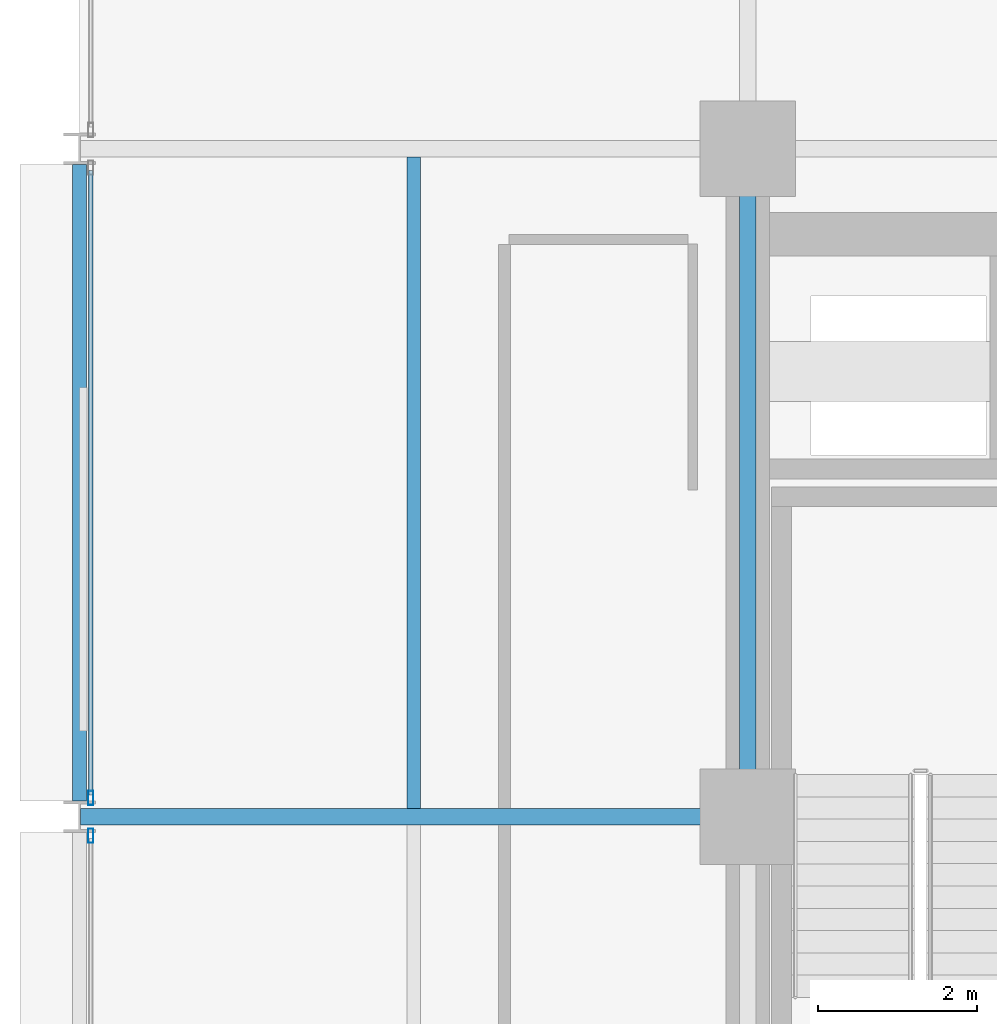
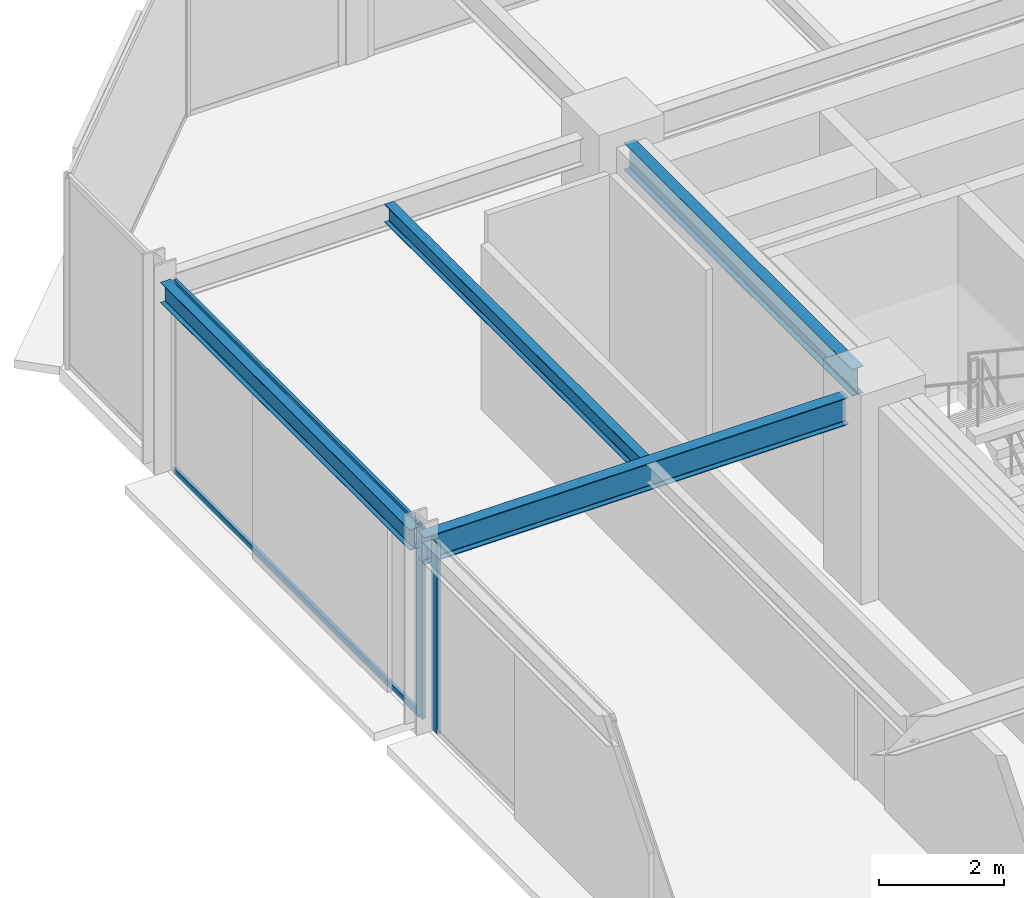
# One storey, part 23 of 40: 4 beams, 4 members, 2 elements without a shape of their own.
"""IFC4 building model written with IfcOpenShell, lengths in metres."""

from ifc_helpers import new_model, si_unit, direction, frame, origin, origin_2d, place, context, subcontext, project, spatial, hollow_rectangle, i_section, extrude, material, layer, layer_set, material_profile, profile_set, type_object, element, aggregate, save


model = new_model("IFC4")

# Units and contexts
model_context = context("Model", 3, precision=1e-05, world=origin(), true_north=direction((0.0, 1.0)))
body_context = subcontext(model_context, "Body", "Model", "MODEL_VIEW")
ifc_project = project(units=[si_unit("LENGTHUNIT", "METRE"), si_unit("AREAUNIT", "SQUARE_METRE"), si_unit("VOLUMEUNIT", "CUBIC_METRE"), si_unit("PLANEANGLEUNIT", "RADIAN"), si_unit("MASSUNIT", "GRAM", prefix="KILO")], contexts=[model_context])

# Site, building, storey
site_placement = place(None, origin())
site = spatial("IfcSite", under=ifc_project, at=site_placement, CompositionType="ELEMENT")
building_placement = place(site_placement, origin())
building = spatial("IfcBuilding", under=site, at=building_placement, Name="Nerrivon Quay Data Exchange", CompositionType="ELEMENT")
storey_placement = place(building_placement, frame((0.0, 0.0, 109.0)))
storey = spatial("IfcBuildingStorey", under=building, at=storey_placement, Name="L25", CompositionType="ELEMENT", Elevation=109.0)

# Beams
ifc_material_1 = material(Name="Steel Grade 350", Category="steel")
ifc_material_profile_1 = material_profile(ifc_material_1, i_section(OverallWidth=0.208984375, OverallDepth=0.532958984375, WebThickness=0.01025390625, FlangeThickness=0.015625, FilletRadius=0.013916015625, at=origin_2d()), Name="530UB92.4")
ifc_profile_set_1 = profile_set([ifc_material_profile_1], Name="Steel Grade 350")
beam_type_1 = type_object("IfcBeamType", Name="BM-G3-530UB92", PredefinedType="BEAM", material=ifc_profile_set_1)
beam_1_placement = place(storey_placement, frame((0.012451171875, 33.60009765625, 3.4833984375), z_axis=(1.0, 0.0, 0.0), x_axis=(0.0, 1.0, 0.0)))
element("IfcBeam", 1, at=beam_1_placement, inside=storey, type_object=beam_type_1, Name="L25 EW Girder Y=33.6 (0.0..8.4)", PredefinedType="BEAM", context=body_context, shape_type="SweptSolid", body=[
    extrude(i_section(OverallWidth=0.208984375, OverallDepth=0.532958984375, WebThickness=0.01025390625, FlangeThickness=0.015625, FilletRadius=0.013916015625, at=origin_2d()), origin(), (0.0, 0.0, 1.0), 7.84765625),
])
ifc_material_profile_2 = material_profile(ifc_material_1, i_section(OverallWidth=0.208984375, OverallDepth=0.528076171875, WebThickness=0.009521484375, FlangeThickness=0.01318359375, FilletRadius=0.013916015625, at=origin_2d()), Name="530UB82.0")
ifc_profile_set_2 = profile_set([ifc_material_profile_2], Name="Steel Grade 350")
beam_type_2 = type_object("IfcBeamType", Name="BM-G4-530UB82", PredefinedType="BEAM", material=ifc_profile_set_2)
beam_2_placement = place(storey_placement, frame((8.39990234375, 34.139892578125, 3.486083984375), z_axis=(0.0, 1.0, 0.0), x_axis=(-1.0, 0.0, 0.0)))
element("IfcBeam", 2, at=beam_2_placement, inside=storey, type_object=beam_type_2, Name="L25 NS Girder X=8.4 (33.6..42.0)", PredefinedType="BEAM", context=body_context, shape_type="SweptSolid", body=[
    extrude(i_section(OverallWidth=0.208984375, OverallDepth=0.528076171875, WebThickness=0.009521484375, FlangeThickness=0.01318359375, FilletRadius=0.013916015625, at=origin_2d()), origin(), (0.0, 0.0, 1.0), 7.320068359375),
])
ifc_material_profile_3 = material_profile(ifc_material_1, i_section(OverallWidth=0.1708984375, OverallDepth=0.35595703125, WebThickness=0.00732421875, FlangeThickness=0.011474609375, FilletRadius=0.011474609375, at=origin_2d()), Name="360UB50.7")
ifc_profile_set_3 = profile_set([ifc_material_profile_3], Name="Steel Grade 350")
beam_type_3 = type_object("IfcBeamType", Name="BM-J4-360UB51", PredefinedType="JOIST", material=ifc_profile_set_3)
beam_3_placement = place(storey_placement, frame((4.199951171875, 33.70458984375, 3.572021484375), z_axis=(0.0, 1.0, 0.0), x_axis=(-1.0, 0.0, 0.0)))
element("IfcBeam", 3, at=beam_3_placement, inside=storey, type_object=beam_type_3, Name="L25 Secondary Joist X=4.2 (33.6..42.0)", PredefinedType="JOIST", context=body_context, shape_type="SweptSolid", body=[
    extrude(i_section(OverallWidth=0.1708984375, OverallDepth=0.35595703125, WebThickness=0.00732421875, FlangeThickness=0.011474609375, FilletRadius=0.011474609375, at=origin_2d()), origin(), (0.0, 0.0, 1.0), 8.19091796875),
])
ifc_material_profile_4 = material_profile(ifc_material_1, i_section(OverallWidth=0.177978515625, OverallDepth=0.403076171875, WebThickness=0.007568359375, FlangeThickness=0.010986328125, FilletRadius=0.011474609375, at=origin_2d()), Name="410UB53.7")
ifc_profile_set_4 = profile_set([ifc_material_profile_4], Name="Steel Grade 350")
beam_type_4 = type_object("IfcBeamType", Name="BM-SP2-410UB54", PredefinedType="SPANDREL", material=ifc_profile_set_4)
beam_4_placement = place(storey_placement, frame((0.0, 33.800048828125, 3.548583984375), z_axis=(0.0, 1.0, 0.0), x_axis=(-1.0, 0.0, 0.0)))
element("IfcBeam", 4, at=beam_4_placement, inside=storey, type_object=beam_type_4, Name="L25 NS Girder X=0.0 (33.6..42.0)", PredefinedType="SPANDREL", context=body_context, shape_type="SweptSolid", body=[
    extrude(i_section(OverallWidth=0.177978515625, OverallDepth=0.403076171875, WebThickness=0.007568359375, FlangeThickness=0.010986328125, FilletRadius=0.011474609375, at=origin_2d()), origin(), (0.0, 0.0, 1.0), 8.0),
])

# Curtain wall, member
ifc_material_2 = material(Name="Anodised aluminium 6063-T6", Category="aluminium")
ifc_layer = layer(ifc_material_2, 0.2099609375)
ifc_layer_set = layer_set([ifc_layer], Name="Anodised aluminium 6063-T6")
curtain_wall_type = type_object("IfcCurtainWallType", Name="CW-SYS-02", PredefinedType="NOTDEFINED", material=ifc_layer_set)
curtain_wall_1_placement = place(storey_placement, origin())
curtain_wall_1 = element("IfcCurtainWall", 5, at=curtain_wall_1_placement, inside=storey, type_object=curtain_wall_type, Name="L25 Unitised Curtain Wall 20", PredefinedType="NOTDEFINED")
ifc_material_profile_5 = material_profile(ifc_material_2, hollow_rectangle(XDim=0.06494140625, YDim=0.179931640625, WallThickness=0.00341796875, at=origin_2d()), Name="ALU-MULL-180x65")
ifc_profile_set_5 = profile_set([ifc_material_profile_5], Name="Anodised aluminium 6063-T6")
member_type_1 = type_object("IfcMemberType", Name="CWM-180x65", PredefinedType="MULLION", material=ifc_profile_set_5)
member_1_placement = place(storey_placement, frame((0.139892578125, 33.362548828125, 0.0), z_axis=(0.0, 0.0, 1.0), x_axis=(-1.0, 0.0, 0.0)))
member_1 = element("IfcMember", 6, at=member_1_placement, type_object=member_type_1, Name="CW02 mullion 2", PredefinedType="MULLION", context=body_context, shape_type="SweptSolid", body=[
    extrude(hollow_rectangle(XDim=0.06494140625, YDim=0.179931640625, WallThickness=0.00341796875, at=origin_2d()), origin(), (0.0, 0.0, 1.0), 3.75),
])
aggregate(curtain_wall_1, [member_1])

# Curtain wall, members
curtain_wall_2_placement = place(storey_placement, origin())
curtain_wall_2 = element("IfcCurtainWall", 7, at=curtain_wall_2_placement, inside=storey, type_object=curtain_wall_type, Name="L25 Unitised Curtain Wall 21", PredefinedType="NOTDEFINED")
member_2_placement = place(storey_placement, frame((0.139892578125, 33.83740234375, 0.0), z_axis=(0.0, 0.0, 1.0), x_axis=(-1.0, 0.0, 0.0)))
member_2 = element("IfcMember", 8, at=member_2_placement, type_object=member_type_1, Name="CW02 mullion 1", PredefinedType="MULLION", context=body_context, shape_type="SweptSolid", body=[
    extrude(hollow_rectangle(XDim=0.06494140625, YDim=0.179931640625, WallThickness=0.00341796875, at=origin_2d()), origin(), (0.0, 0.0, 1.0), 3.75),
])
ifc_material_profile_6 = material_profile(ifc_material_2, hollow_rectangle(XDim=0.06005859375, YDim=0.1201171875, WallThickness=0.003173828125, at=origin_2d()), Name="ALU-TRAN-120x60")
ifc_profile_set_6 = profile_set([ifc_material_profile_6], Name="Anodised aluminium 6063-T6")
member_type_2 = type_object("IfcMemberType", Name="CWT-120x60", PredefinedType="USERDEFINED", material=ifc_profile_set_6)
member_3_placement = place(storey_placement, frame((0.139892578125, 33.875, 0.032470703125), z_axis=(0.0, 1.0, 0.0), x_axis=(-1.0, 0.0, 0.0)))
member_3 = element("IfcMember", 9, at=member_3_placement, type_object=member_type_2, Name="CW02 transom 1.1", ObjectType="TRANSOM", PredefinedType="USERDEFINED", context=body_context, shape_type="SweptSolid", body=[
    extrude(hollow_rectangle(XDim=0.06005859375, YDim=0.1201171875, WallThickness=0.003173828125, at=origin_2d()), origin(), (0.0, 0.0, 1.0), 7.85009765625),
])
member_4_placement = place(storey_placement, frame((0.139892578125, 33.875, 3.717529296875), z_axis=(0.0, 1.0, 0.0), x_axis=(-1.0, 0.0, 0.0)))
member_4 = element("IfcMember", 10, at=member_4_placement, type_object=member_type_2, Name="CW02 transom 1.2", ObjectType="TRANSOM", PredefinedType="USERDEFINED", context=body_context, shape_type="SweptSolid", body=[
    extrude(hollow_rectangle(XDim=0.06005859375, YDim=0.1201171875, WallThickness=0.003173828125, at=origin_2d()), origin(), (0.0, 0.0, 1.0), 7.85009765625),
])
aggregate(curtain_wall_2, [member_2, member_3, member_4])

save(model, "model.ifc")
